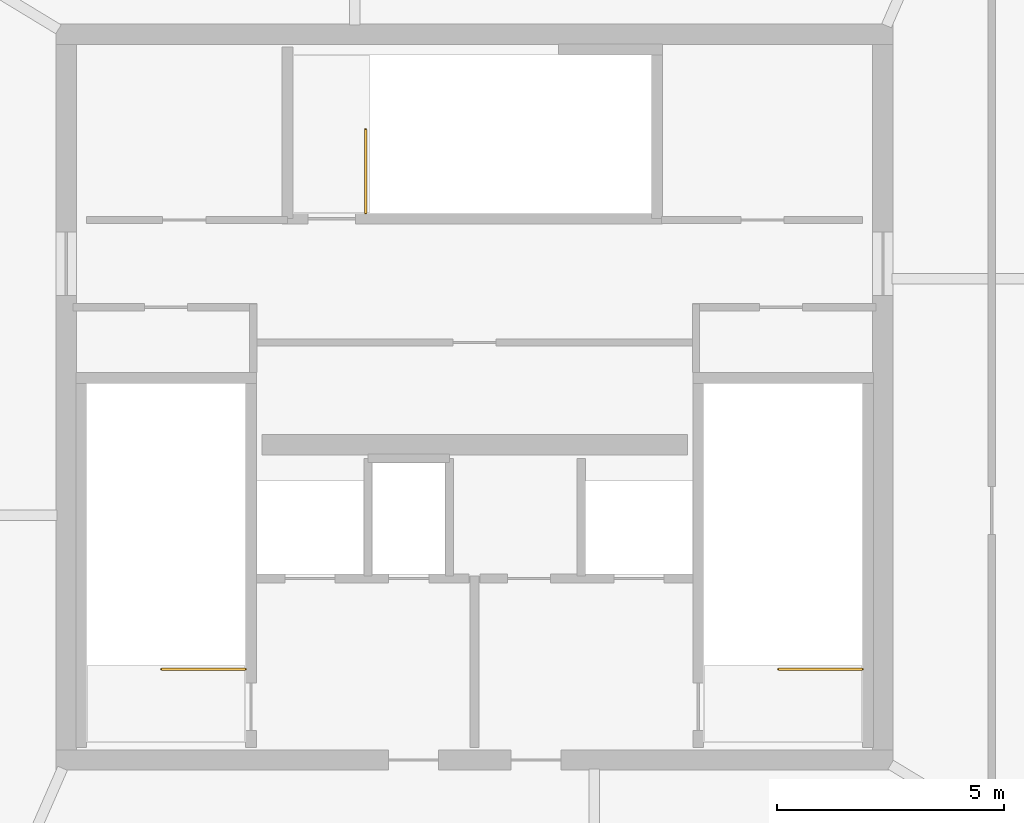
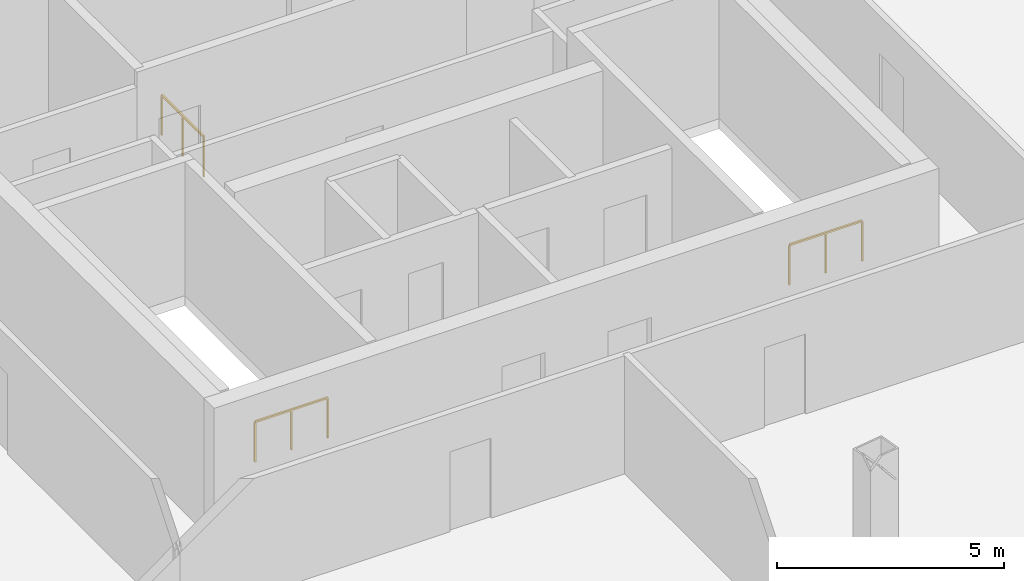
# One storey, part 17 of 17: 3 railings.
"""IFC4 building model written with IfcOpenShell, lengths in metres."""

import ifcopenshell
import ifcopenshell.guid

model = None  # the IFC model being written
_history = None  # IfcOwnerHistory: only IFC2X3 demands one
_inside = {}  # id of a spatial element -> (the spatial element, [elements in it])
_under = {}  # id of a project, library or spatial element -> (it, [spatial elements below it])
_declared = {}  # id of a project -> (the project, [libraries it declares])
_typed = {}  # id of a type object -> (the type object, [elements of that type])
_made_of = {}  # id of a material, layer set ... -> (it, [elements and type objects made of it])


def new_model(schema):
    """Start an empty IFC model of exactly this schema.

    Asked for "IFC4X3", IfcOpenShell would pick the latest addendum, in which some entities
    have other attributes; the version numbers below select the first issue.
    IFC2X3 requires an IfcOwnerHistory on every rooted entity: one is made here for all.
    """
    global model, _history
    if schema == "IFC4X3":
        model = ifcopenshell.file(schema_version=(4, 3, 0, 0))
    else:
        model = ifcopenshell.file(schema=schema)
    _inside.clear()
    _under.clear()
    _declared.clear()
    _typed.clear()
    _made_of.clear()
    _history = None
    if model.schema == "IFC2X3":
        org = make("IfcOrganization", Name="unknown")
        user = make(
            "IfcPersonAndOrganization",
            ThePerson=make("IfcPerson", FamilyName="unknown"),
            TheOrganization=org,
        )
        app = make(
            "IfcApplication",
            ApplicationDeveloper=org,
            Version="unknown",
            ApplicationFullName="unknown",
            ApplicationIdentifier="unknown",
        )
        _history = make(
            "IfcOwnerHistory",
            OwningUser=user,
            OwningApplication=app,
            ChangeAction="ADDED",
            CreationDate=0,
        )
    return model


def make(cls, **values):
    """One entity of the class cls with the attributes given. An attribute that is None is left unset."""
    return model.create_entity(
        cls, **{name: value for name, value in values.items() if value is not None}
    )


def rooted(cls, **values):
    """An entity with a GlobalId (a new one), such as an element, a storey or a relation."""
    return make(cls, GlobalId=ifcopenshell.guid.new(), OwnerHistory=_history, **values)


def si_unit(unit_type, name, prefix=None):
    """IfcSIUnit, for example si_unit("LENGTHUNIT", "METRE", prefix="MILLI")."""
    return make("IfcSIUnit", UnitType=unit_type, Prefix=prefix, Name=name)


def assignment(units):
    """IfcUnitAssignment: the units of a project."""
    return None if units is None else make("IfcUnitAssignment", Units=units)


def point(xyz):
    """IfcCartesianPoint."""
    return None if xyz is None else make("IfcCartesianPoint", Coordinates=xyz)


def direction(xyz):
    """IfcDirection."""
    return None if xyz is None else make("IfcDirection", DirectionRatios=xyz)


def frame(location, z_axis=None, x_axis=None):
    """IfcAxis2Placement3D, a coordinate frame: its origin and axes. An axis left out is left unset."""
    return make(
        "IfcAxis2Placement3D",
        Location=point(location),
        Axis=direction(z_axis),
        RefDirection=direction(x_axis),
    )


def frame_2d(location, x_axis=None):
    """IfcAxis2Placement2D, a coordinate frame in the plane: its origin and x axis."""
    return make(
        "IfcAxis2Placement2D", Location=point(location), RefDirection=direction(x_axis)
    )


def origin():
    """The frame at (0, 0, 0) with its axes left unset."""
    return frame((0.0, 0.0, 0.0))


def origin_2d():
    """The frame at (0, 0) in the plane with its x axis left unset."""
    return frame_2d((0.0, 0.0))


def place(relative_to, where):
    """IfcLocalPlacement: puts the frame where relative to a parent placement (None: the world)."""
    return make(
        "IfcLocalPlacement", PlacementRelTo=relative_to, RelativePlacement=where
    )


def context(
    kind, dimensions, precision=None, world=None, true_north=None, identifier=None
):
    """IfcGeometricRepresentationContext, for example the 3D "Model" context."""
    return make(
        "IfcGeometricRepresentationContext",
        ContextIdentifier=identifier,
        ContextType=kind,
        CoordinateSpaceDimension=dimensions,
        Precision=precision,
        WorldCoordinateSystem=world,
        TrueNorth=true_north,
    )


def subcontext(parent, identifier, kind, view, scale=None):
    """IfcGeometricRepresentationSubContext, for example "Body" below "Model"."""
    return make(
        "IfcGeometricRepresentationSubContext",
        ContextIdentifier=identifier,
        ContextType=kind,
        ParentContext=parent,
        TargetScale=scale,
        TargetView=view,
    )


def project(units=None, contexts=None):
    """IfcProject with its units and contexts."""
    return rooted(
        "IfcProject",
        Name="project",
        RepresentationContexts=contexts,
        UnitsInContext=assignment(units),
    )


def spatial(cls, under=None, at=None, **own):
    """A site, building, storey or space (cls), placed at a placement, below another one or the project."""
    s = rooted(cls, ObjectPlacement=at, **own)
    if under is not None:
        _under.setdefault(under.id(), (under, []))[1].append(s)
    return s


def profile(cls, at=None, kind="AREA", **sizes):
    """A parametric profile (cls). Its sizes go by their IFC names, for example OverallWidth=200.0."""
    return make(cls, ProfileType=kind, Position=at, **sizes)


def rectangle(**sizes):
    """IfcRectangleProfileDef."""
    return profile("IfcRectangleProfileDef", **sizes)


def extrude(swept, where, along, depth):
    """IfcExtrudedAreaSolid: the profile swept, set in the frame where, extruded along a direction by depth."""
    return make(
        "IfcExtrudedAreaSolid",
        SweptArea=swept,
        Position=where,
        ExtrudedDirection=direction(along),
        Depth=depth,
    )


def shape(context_of_items, identifier, shape_type, items):
    """IfcShapeRepresentation: the items that make up one representation, for example the "Body"."""
    return make(
        "IfcShapeRepresentation",
        ContextOfItems=context_of_items,
        RepresentationIdentifier=identifier,
        RepresentationType=shape_type,
        Items=items,
    )


def material(Name=None, Category=None):
    """IfcMaterial."""
    return make("IfcMaterial", Name=Name, Category=Category)


def made_of(thing, what):
    """Note that an element or type object is made of a material, layer set ...; save() writes the relation."""
    if what is not None:
        _made_of.setdefault(what.id(), (what, []))[1].append(thing)
    return thing


def type_object(cls, material=None, **own):
    """A type object (cls), such as IfcWallType, which elements share."""
    return made_of(rooted(cls, **own), material)


def element(
    cls,
    number,
    at=None,
    inside=None,
    cuts=None,
    type_object=None,
    material=None,
    context=None,
    identifier="Body",
    shape_type=None,
    held_by="IfcProductDefinitionShape",
    body=None,
    shapes=None,
    **own,
):
    """One element of the class cls, such as IfcWall. Its Tag is "e" and its number.

    at: its placement. inside: the storey or other place that contains it. cuts: it is an
    opening in that element (IfcRelVoidsElement). A single representation is given by context,
    identifier, shape_type and body (its items); several are given by shapes. held_by: the class
    of the entity that holds the representations. save() writes the other relations.
    """
    e = rooted(cls, Tag="e%d" % number, ObjectPlacement=at, **own)
    if body is not None:
        shapes = [shape(context, identifier, shape_type, body)]
    if shapes is not None:
        e.Representation = make(held_by, Representations=shapes)
    if inside is not None:
        _inside.setdefault(inside.id(), (inside, []))[1].append(e)
    if cuts is not None:
        rooted(
            "IfcRelVoidsElement", RelatingBuildingElement=cuts, RelatedOpeningElement=e
        )
    if type_object is not None:
        _typed.setdefault(type_object.id(), (type_object, []))[1].append(e)
    return made_of(e, material)


def aggregate(whole, parts):
    """IfcRelAggregates: a whole, such as a stair, and the parts it consists of."""
    return rooted("IfcRelAggregates", RelatingObject=whole, RelatedObjects=parts)


def save(model, path):
    """Write the relations noted so far, then the file.

    IfcRelAggregates (storeys below a building ...), IfcRelContainedInSpatialStructure (elements
    in a storey), IfcRelDefinesByType, IfcRelAssociatesMaterial and IfcRelDeclares: one each for
    every whole, place, type object, material and project.
    """
    for whole, parts in _under.values():
        aggregate(whole, parts)
    for where, things in _inside.values():
        rooted(
            "IfcRelContainedInSpatialStructure",
            RelatedElements=things,
            RelatingStructure=where,
        )
    for kind, things in _typed.values():
        rooted("IfcRelDefinesByType", RelatedObjects=things, RelatingType=kind)
    for what, things in _made_of.values():
        rooted("IfcRelAssociatesMaterial", RelatedObjects=things, RelatingMaterial=what)
    for by, libraries in _declared.values():
        rooted("IfcRelDeclares", RelatingContext=by, RelatedDefinitions=libraries)
    model.write(path)


model = new_model("IFC4")

# Units and contexts
model_context = context("Model", 3, precision=1e-05, world=origin(), true_north=direction((0.0, 1.0)))
body_context = subcontext(model_context, "Body", "Model", "MODEL_VIEW")
ifc_project = project(units=[si_unit("LENGTHUNIT", "METRE"), si_unit("AREAUNIT", "SQUARE_METRE"), si_unit("VOLUMEUNIT", "CUBIC_METRE"), si_unit("PLANEANGLEUNIT", "RADIAN"), si_unit("MASSUNIT", "GRAM", prefix="KILO")], contexts=[model_context])

# Site, building, storey
site_placement = place(None, origin())
site = spatial("IfcSite", under=ifc_project, at=site_placement, CompositionType="ELEMENT")
building_placement = place(site_placement, origin())
building = spatial("IfcBuilding", under=site, at=building_placement, Name="Haldenkirk Collegiate Tower", CompositionType="ELEMENT")
storey_placement = place(building_placement, frame((0.0, 0.0, 371.39990234375)))
storey = spatial("IfcBuildingStorey", under=building, at=storey_placement, Name="L94", CompositionType="ELEMENT", Elevation=371.39990234375)

# Railings
ifc_material = material(Name="Painted architectural tubular steel", Category="steel")
railing_type = type_object("IfcRailingType", Name="RLG-STAIR-GUARD-1100", PredefinedType="BALUSTRADE", material=ifc_material)
railing_1_placement = place(storey_placement, frame((30.949951171875, 20.0, 0.0)))
element("IfcRailing", 1, at=railing_1_placement, inside=storey, type_object=railing_type, Name="L94 ST-1 top well guard 1", PredefinedType="BALUSTRADE", context=body_context, shape_type="SweptSolid", body=[
    extrude(rectangle(XDim=0.048095703125, YDim=0.048095703125, at=origin_2d()), frame((0.0, 0.0, 1.076171875), z_axis=(-1.0, 0.0, 0.0), x_axis=(0.0, -1.0, 0.0)), (0.0, 0.0, 1.0), 1.849853515625),
    extrude(rectangle(XDim=0.0419921875, YDim=0.0419921875, at=origin_2d()), origin(), (0.0, 0.0, 1.0), 1.052001953125),
    extrude(rectangle(XDim=0.0419921875, YDim=0.0419921875, at=origin_2d()), frame((-0.9248046875, 0.0, 0.0)), (0.0, 0.0, 1.0), 1.052001953125),
    extrude(rectangle(XDim=0.0419921875, YDim=0.0419921875, at=origin_2d()), frame((-1.849853515625, 0.0, 0.0)), (0.0, 0.0, 1.0), 1.052001953125),
])
railing_2_placement = place(storey_placement, frame((44.550048828125, 20.0, 0.0)))
element("IfcRailing", 2, at=railing_2_placement, inside=storey, type_object=railing_type, Name="L94 ST-2 top well guard 1", PredefinedType="BALUSTRADE", context=body_context, shape_type="SweptSolid", body=[
    extrude(rectangle(XDim=0.048095703125, YDim=0.048095703125, at=origin_2d()), frame((0.0, 0.0, 1.076171875), z_axis=(-1.0, 0.0, 0.0), x_axis=(0.0, -1.0, 0.0)), (0.0, 0.0, 1.0), 1.85009765625),
    extrude(rectangle(XDim=0.0419921875, YDim=0.0419921875, at=origin_2d()), origin(), (0.0, 0.0, 1.0), 1.052001953125),
    extrude(rectangle(XDim=0.0419921875, YDim=0.0419921875, at=origin_2d()), frame((-0.925048828125, 0.0, 0.0)), (0.0, 0.0, 1.0), 1.052001953125),
    extrude(rectangle(XDim=0.0419921875, YDim=0.0419921875, at=origin_2d()), frame((-1.85009765625, 0.0, 0.0)), (0.0, 0.0, 1.0), 1.052001953125),
])
railing_3_placement = place(storey_placement, frame((33.60009765625, 30.050048828125, 0.0)))
element("IfcRailing", 3, at=railing_3_placement, inside=storey, type_object=railing_type, Name="L94 ST-3 top well guard 1", PredefinedType="BALUSTRADE", context=body_context, shape_type="SweptSolid", body=[
    extrude(rectangle(XDim=0.048095703125, YDim=0.048095703125, at=origin_2d()), frame((0.0, 0.0, 1.076171875), z_axis=(0.0, 1.0, 0.0), x_axis=(-1.0, 0.0, 0.0)), (0.0, 0.0, 1.0), 1.849853515625),
    extrude(rectangle(XDim=0.0419921875, YDim=0.0419921875, at=origin_2d()), origin(), (0.0, 0.0, 1.0), 1.052001953125),
    extrude(rectangle(XDim=0.0419921875, YDim=0.0419921875, at=origin_2d()), frame((0.0, 0.9248046875, 0.0)), (0.0, 0.0, 1.0), 1.052001953125),
    extrude(rectangle(XDim=0.0419921875, YDim=0.0419921875, at=origin_2d()), frame((0.0, 1.849853515625, 0.0)), (0.0, 0.0, 1.0), 1.052001953125),
])

save(model, "model.ifc")
